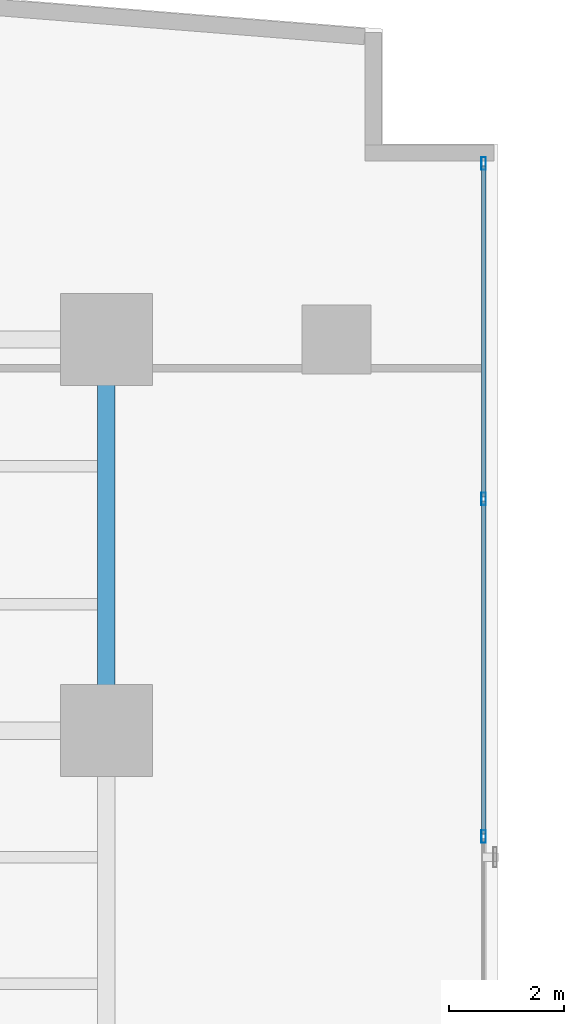
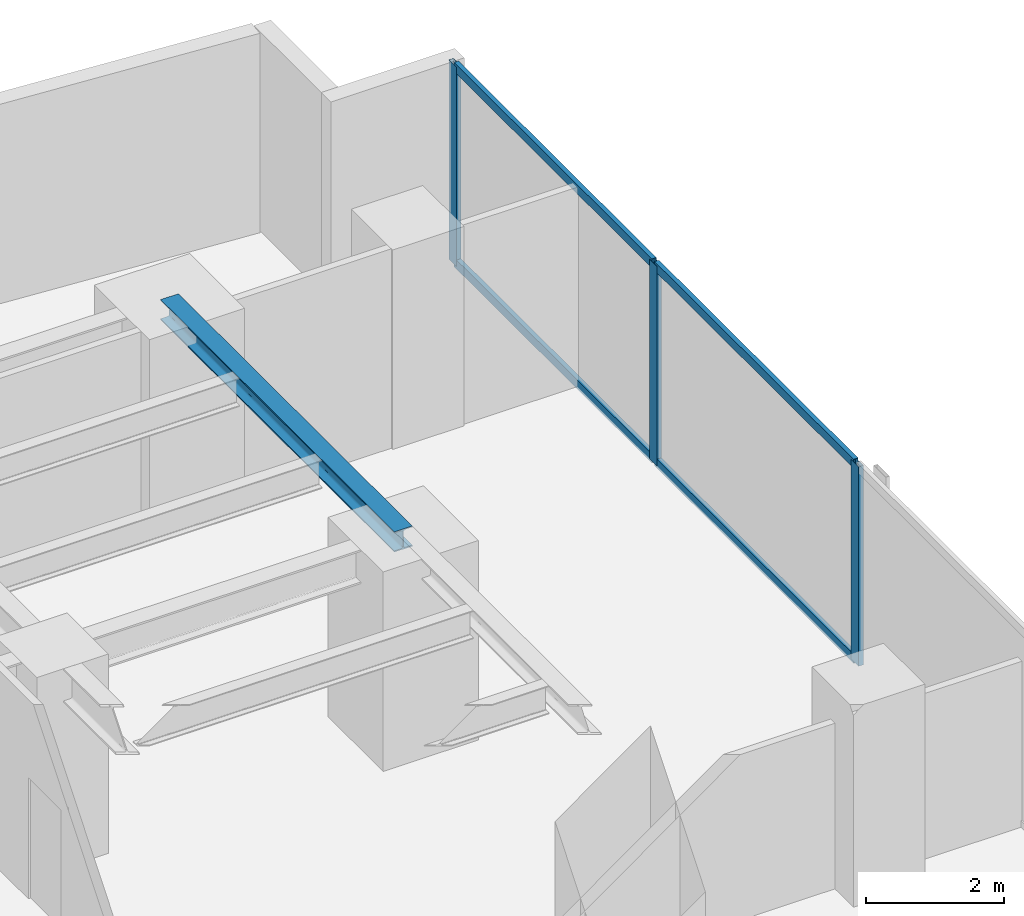
# One storey, part 19 of 29: 7 members, 1 beam, 1 element without a shape of its own.
"""IFC4 building model written with IfcOpenShell, lengths in metres."""

from ifc_helpers import new_model, si_unit, direction, frame, origin, origin_with_axes, origin_2d, place, context, subcontext, project, spatial, hollow_rectangle, i_section, extrude, source, transform, mapped, material, layer, layer_set, material_profile, profile_set, type_object, element, aggregate, save


model = new_model("IFC4")

# Units and contexts
model_context = context("Model", 3, precision=1e-05, world=origin(), true_north=direction((0.0, 1.0)))
body_context = subcontext(model_context, "Body", "Model", "MODEL_VIEW")
ifc_project = project(units=[si_unit("LENGTHUNIT", "METRE"), si_unit("AREAUNIT", "SQUARE_METRE"), si_unit("VOLUMEUNIT", "CUBIC_METRE"), si_unit("PLANEANGLEUNIT", "RADIAN"), si_unit("MASSUNIT", "GRAM", prefix="KILO")], contexts=[model_context])

# Site, building, storey
site_placement = place(None, origin())
site = spatial("IfcSite", under=ifc_project, at=site_placement, CompositionType="ELEMENT")
building_placement = place(site_placement, origin())
building = spatial("IfcBuilding", under=site, at=building_placement, Name="Kolvaren Waterfront Exchange", CompositionType="ELEMENT")
storey_placement = place(building_placement, frame((0.0, 0.0, 37.199951171875)))
storey = spatial("IfcBuildingStorey", under=building, at=storey_placement, Name="L09", CompositionType="ELEMENT", Elevation=37.199951171875)

# Beam
ifc_material_1 = material(Name="Steel S355", Category="steel")
ifc_material_profile_1 = material_profile(ifc_material_1, i_section(OverallWidth=0.300048828125, OverallDepth=0.360107421875, WebThickness=0.012451171875, FlangeThickness=0.0224609375, FilletRadius=0.027099609375, at=origin_2d()), Name="HEB360")
ifc_profile_set_1 = profile_set([ifc_material_profile_1], Name="Steel S355")
beam_type = type_object("IfcBeamType", Name="STR-BM-HEB360", PredefinedType="SPANDREL", material=ifc_profile_set_1)
beam_placement = place(storey_placement, frame((18.800048828125, 37.800048828125, 3.360107421875), z_axis=(0.0, 1.0, 0.0), x_axis=(-1.0, 0.0, 0.0)))
element("IfcBeam", 1, at=beam_placement, inside=storey, type_object=beam_type, Name="L09 north-arm edge beam 3", PredefinedType="SPANDREL", context=body_context, shape_type="SweptSolid", body=[
    extrude(i_section(OverallWidth=0.300048828125, OverallDepth=0.360107421875, WebThickness=0.012451171875, FlangeThickness=0.0224609375, FilletRadius=0.027099609375, at=origin_2d()), origin(), (0.0, 0.0, 1.0), 6.800048828125),
])

# Curtain wall, members
ifc_material_2 = material(Name="Anodised bronze aluminium 6063-T6", Category="aluminium")
ifc_layer = layer(ifc_material_2, 0.219970703125, Name="Anodised bronze aluminium 6063-T6")
ifc_layer_set = layer_set([ifc_layer], Name="Anodised bronze aluminium 6063-T6")
curtain_wall_type = type_object("IfcCurtainWallType", Name="ARC-CW-SYS1", PredefinedType="USERDEFINED", material=ifc_layer_set)
curtain_wall_placement = place(storey_placement, origin())
curtain_wall = element("IfcCurtainWall", 2, at=curtain_wall_placement, inside=storey, type_object=curtain_wall_type, Name="L09 stick curtain wall CW1 (CW-L09-NE)", ObjectType="STICK CURTAIN WALL", PredefinedType="USERDEFINED")
ifc_material_3 = material(Name="Anodised aluminium 6063-T6", Category="aluminium")
ifc_material_profile_2 = material_profile(ifc_material_3, hollow_rectangle(XDim=0.074951171875, YDim=0.159912109375, WallThickness=0.00439453125, at=origin_2d()), Name="ALU-TRN-160x75x4.5")
ifc_profile_set_2 = profile_set([ifc_material_profile_2], Name="Anodised aluminium 6063-T6")
member_type_1 = type_object("IfcMemberType", Name="ARC-CWT-160", PredefinedType="USERDEFINED", material=ifc_profile_set_2)
shared_shape_1 = source(origin_with_axes(), body_context, "Body", "SweptSolid", [
    extrude(hollow_rectangle(XDim=0.074951171875, YDim=0.159912109375, WallThickness=0.00439453125, at=origin_2d()), origin(), (0.0, 0.0, 1.0), 5.75),
])
member_1_placement = place(storey_placement, frame((25.360107421875, 41.8701171875, 0.03759765625), z_axis=(0.0, 1.0, 0.0), x_axis=(-1.0, 0.0, 0.0)))
member_1 = element("IfcMember", 3, at=member_1_placement, type_object=member_type_1, Name="CW1 transom 3.1", ObjectType="TRANSOM", PredefinedType="USERDEFINED", context=body_context, shape_type="MappedRepresentation", body=[
    mapped(shared_shape_1, transform((0.0, 0.0, 0.0), x_axis=(1.0, 0.0, 0.0), y_axis=(0.0, 1.0, 0.0), z_axis=(0.0, 0.0, 1.0), scale=1.0)),
])
member_2_placement = place(storey_placement, frame((25.360107421875, 41.8701171875, 3.50244140625), z_axis=(0.0, 1.0, 0.0), x_axis=(-1.0, 0.0, 0.0)))
member_2 = element("IfcMember", 4, at=member_2_placement, type_object=member_type_1, Name="CW1 transom 3.2", ObjectType="TRANSOM", PredefinedType="USERDEFINED", context=body_context, shape_type="MappedRepresentation", body=[
    mapped(shared_shape_1, transform((0.0, 0.0, 0.0), x_axis=(1.0, 0.0, 0.0), y_axis=(0.0, 1.0, 0.0), z_axis=(0.0, 0.0, 1.0), scale=1.0)),
])
shared_shape_2 = source(origin_with_axes(), body_context, "Body", "SweptSolid", [
    extrude(hollow_rectangle(XDim=0.074951171875, YDim=0.159912109375, WallThickness=0.00439453125, at=origin_2d()), origin(), (0.0, 0.0, 1.0), 5.7900390625),
])
member_3_placement = place(storey_placement, frame((25.360107421875, 36.0, 0.03759765625), z_axis=(0.0, 1.0, 0.0), x_axis=(-1.0, 0.0, 0.0)))
member_3 = element("IfcMember", 5, at=member_3_placement, type_object=member_type_1, Name="CW1 transom 2.1", ObjectType="TRANSOM", PredefinedType="USERDEFINED", context=body_context, shape_type="MappedRepresentation", body=[
    mapped(shared_shape_2, transform((0.0, 0.0, 0.0), x_axis=(1.0, 0.0, 0.0), y_axis=(0.0, 1.0, 0.0), z_axis=(0.0, 0.0, 1.0), scale=1.0)),
])
member_4_placement = place(storey_placement, frame((25.360107421875, 36.0, 3.50244140625), z_axis=(0.0, 1.0, 0.0), x_axis=(-1.0, 0.0, 0.0)))
member_4 = element("IfcMember", 6, at=member_4_placement, type_object=member_type_1, Name="CW1 transom 2.2", ObjectType="TRANSOM", PredefinedType="USERDEFINED", context=body_context, shape_type="MappedRepresentation", body=[
    mapped(shared_shape_2, transform((0.0, 0.0, 0.0), x_axis=(1.0, 0.0, 0.0), y_axis=(0.0, 1.0, 0.0), z_axis=(0.0, 0.0, 1.0), scale=1.0)),
])
ifc_material_profile_3 = material_profile(ifc_material_3, hollow_rectangle(XDim=0.080078125, YDim=0.219970703125, WallThickness=0.0048828125, at=origin_2d()), Name="ALU-MUL-220x80x5")
ifc_profile_set_3 = profile_set([ifc_material_profile_3], Name="Anodised aluminium 6063-T6")
member_type_2 = type_object("IfcMemberType", Name="ARC-CWM-220", PredefinedType="MULLION", material=ifc_profile_set_3)
shared_shape_3 = source(origin_with_axes(), body_context, "Body", "SweptSolid", [
    extrude(hollow_rectangle(XDim=0.080078125, YDim=0.219970703125, WallThickness=0.0048828125, at=origin_2d()), origin(), (0.0, 0.0, 1.0), 3.5400390625),
])
member_5_placement = place(storey_placement, frame((25.360107421875, 35.9599609375, 0.0), z_axis=(0.0, 0.0, 1.0), x_axis=(-1.0, 0.0, 0.0)))
member_5 = element("IfcMember", 7, at=member_5_placement, type_object=member_type_2, Name="CW1 mullion 2", PredefinedType="MULLION", context=body_context, shape_type="MappedRepresentation", body=[
    mapped(shared_shape_3, transform((0.0, 0.0, 0.0), x_axis=(1.0, 0.0, 0.0), y_axis=(0.0, 1.0, 0.0), z_axis=(0.0, 0.0, 1.0), scale=1.0)),
])
member_6_placement = place(storey_placement, frame((25.360107421875, 41.830078125, 0.0), z_axis=(0.0, 0.0, 1.0), x_axis=(-1.0, 0.0, 0.0)))
member_6 = element("IfcMember", 8, at=member_6_placement, type_object=member_type_2, Name="CW1 mullion 3", PredefinedType="MULLION", context=body_context, shape_type="MappedRepresentation", body=[
    mapped(shared_shape_3, transform((0.0, 0.0, 0.0), x_axis=(1.0, 0.0, 0.0), y_axis=(0.0, 1.0, 0.0), z_axis=(0.0, 0.0, 1.0), scale=1.0)),
])
member_7_placement = place(storey_placement, frame((25.360107421875, 47.659912109375, 0.0), z_axis=(0.0, 0.0, 1.0), x_axis=(-1.0, 0.0, 0.0)))
member_7 = element("IfcMember", 9, at=member_7_placement, type_object=member_type_2, Name="CW1 mullion 4", PredefinedType="MULLION", context=body_context, shape_type="MappedRepresentation", body=[
    mapped(shared_shape_3, transform((0.0, 0.0, 0.0), x_axis=(1.0, 0.0, 0.0), y_axis=(0.0, 1.0, 0.0), z_axis=(0.0, 0.0, 1.0), scale=1.0)),
])
aggregate(curtain_wall, [member_5, member_6, member_7, member_3, member_4, member_1, member_2])

save(model, "model.ifc")
